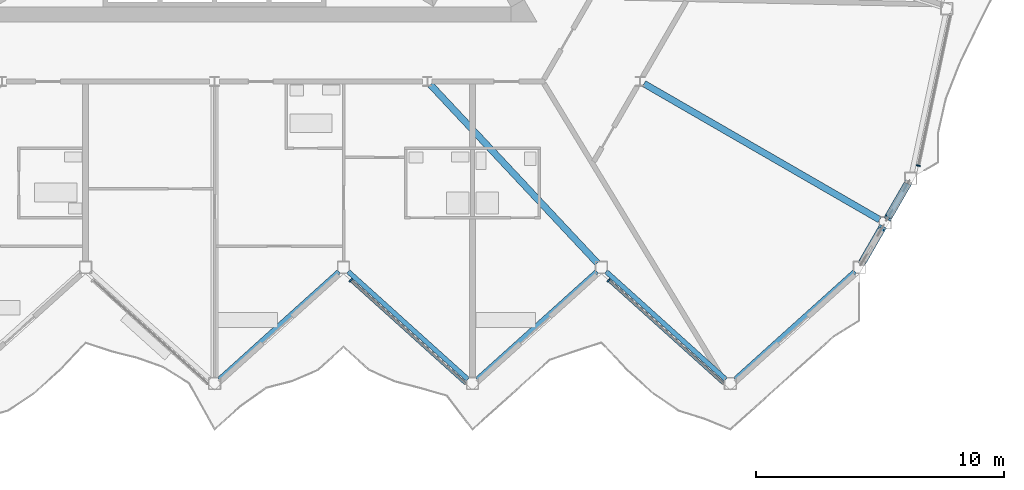
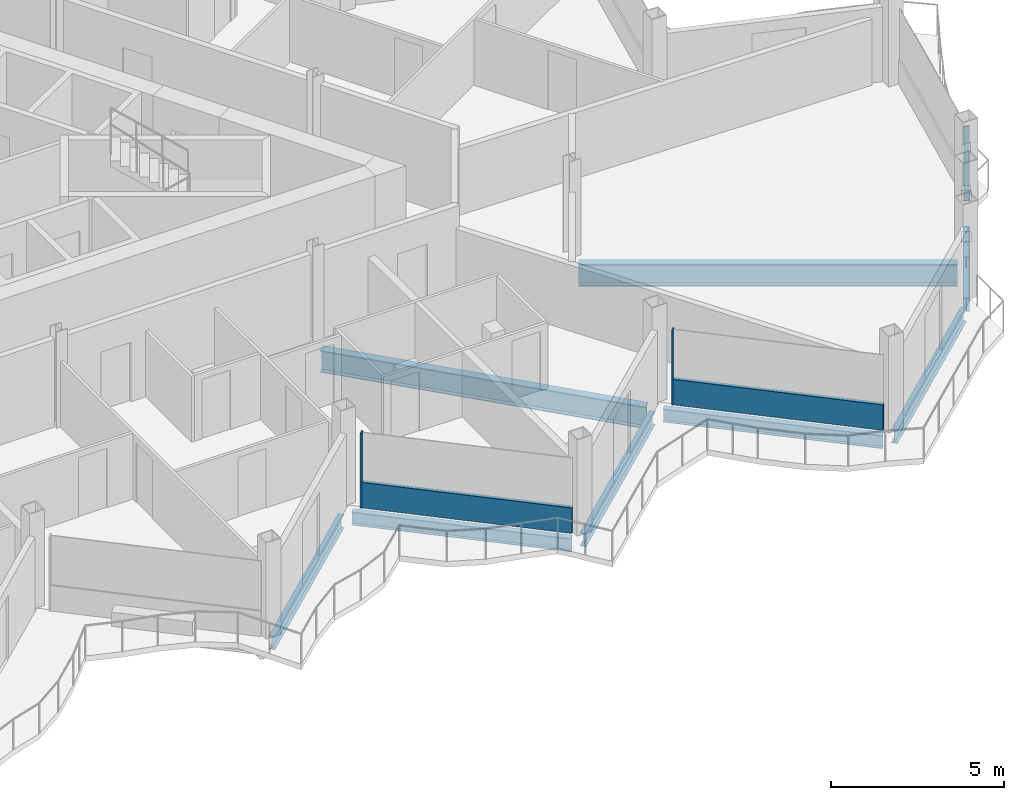
# One storey, part 7 of 25: 9 beams, 7 members, 3 elements without a shape of their own.
"""IFC4 building model written with IfcOpenShell, lengths in metres."""

from ifc_helpers import new_model, si_unit, direction, frame, origin, origin_2d, place, context, subcontext, project, spatial, rectangle, hollow_rectangle, i_section, extrude, material, layer, layer_set, material_profile, profile_set, type_object, element, aggregate, save


model = new_model("IFC4")

# Units and contexts
model_context = context("Model", 3, precision=1e-05, world=origin(), true_north=direction((0.0, 1.0)))
body_context = subcontext(model_context, "Body", "Model", "MODEL_VIEW")
ifc_project = project(units=[si_unit("LENGTHUNIT", "METRE"), si_unit("AREAUNIT", "SQUARE_METRE"), si_unit("VOLUMEUNIT", "CUBIC_METRE"), si_unit("PLANEANGLEUNIT", "RADIAN"), si_unit("MASSUNIT", "GRAM", prefix="KILO")], contexts=[model_context])

# Site, building, storey
site_placement = place(None, origin())
site = spatial("IfcSite", under=ifc_project, at=site_placement, CompositionType="ELEMENT")
building_placement = place(site_placement, origin())
building = spatial("IfcBuilding", under=site, at=building_placement, Name="Cormorant Prow Tower", CompositionType="ELEMENT")
storey_placement = place(building_placement, frame((0.0, 0.0, 391.60009765625)))
storey = spatial("IfcBuildingStorey", under=building, at=storey_placement, Name="L89", CompositionType="ELEMENT", Elevation=391.60009765625)

# Members
ifc_material_1 = material(Name="Structural steel ASTM A500 Gr C", Category="steel")
ifc_material_profile_1 = material_profile(ifc_material_1, hollow_rectangle(XDim=0.3046875, YDim=0.3046875, WallThickness=0.01171875, at=origin_2d()), Name="HSS12x12x1/2")
ifc_profile_set_1 = profile_set([ifc_material_profile_1], Name="Structural steel ASTM A500 Gr C")
member_type_1 = type_object("IfcMemberType", Name="Chamfer brace HSS12x12x1/2", PredefinedType="BRACE", material=ifc_profile_set_1)
member_1_placement = place(storey_placement, frame((26.91357421875, -15.823486328125, 0.7705078125), z_axis=(-0.411298537745, -0.71230756954, 0.568727913175), x_axis=(0.866000359435, -0.500043375578, 0.0)))
element("IfcMember", 1, at=member_1_placement, inside=storey, type_object=member_type_1, Name="Chamfer brace BR3 at ESE00 L89", PredefinedType="BRACE", context=body_context, shape_type="SweptSolid", body=[
    extrude(hollow_rectangle(XDim=0.3046875, YDim=0.3046875, WallThickness=0.01171875, at=origin_2d()), origin(), (0.0, 0.0, 1.0), 1.92138671875),
])
member_2_placement = place(storey_placement, frame((27.950439453125, -14.027587890625, 0.7705078125), z_axis=(-0.411230183851, -0.712282194217, 0.568809117095), x_axis=(0.866028632512, -0.499994407638, 0.0)))
element("IfcMember", 2, at=member_2_placement, inside=storey, type_object=member_type_1, Name="Chamfer brace BR3 at ESE01 L89", PredefinedType="BRACE", context=body_context, shape_type="SweptSolid", body=[
    extrude(hollow_rectangle(XDim=0.3046875, YDim=0.3046875, WallThickness=0.01171875, at=origin_2d()), origin(), (0.0, 0.0, 1.0), 1.921142578125),
])

# Beams
ifc_material_2 = material(Name="Structural steel ASTM A992 Gr 50", Category="steel")
ifc_material_profile_2 = material_profile(ifc_material_2, i_section(OverallWidth=0.267822265625, OverallDepth=0.77001953125, WebThickness=0.015625, FlangeThickness=0.025390625, at=origin_2d()), Name="W30x132")
ifc_profile_set_2 = profile_set([ifc_material_profile_2], Name="Structural steel ASTM A992 Gr 50")
beam_type_1 = type_object("IfcBeamType", Name="Radial floor beam W30x132", PredefinedType="BEAM", material=ifc_profile_set_2)
beam_1_placement = place(storey_placement, frame((8.706298828125, -10.0419921875, -0.68505859375), z_axis=(0.683430760659, -0.730015339144, 0.0), x_axis=(0.730015339144, 0.683430760659, 0.0)))
element("IfcBeam", 3, at=beam_1_placement, inside=storey, type_object=beam_type_1, Name="Radial floor beam FB3 8 L89", PredefinedType="BEAM", context=body_context, shape_type="SweptSolid", body=[
    extrude(i_section(OverallWidth=0.267822265625, OverallDepth=0.77001953125, WebThickness=0.015625, FlangeThickness=0.025390625, at=origin_2d()), origin(), (0.0, 0.0, 1.0), 9.8369140625),
])
beam_2_placement = place(storey_placement, frame((17.31884765625, -9.9990234375, -0.68505859375), z_axis=(0.866018830095, -0.500011385791, 0.0), x_axis=(0.500011385791, 0.866018830095, 0.0)))
element("IfcBeam", 4, at=beam_2_placement, inside=storey, type_object=beam_type_1, Name="Radial floor beam FB3 9 L89", PredefinedType="BEAM", context=body_context, shape_type="SweptSolid", body=[
    extrude(i_section(OverallWidth=0.267822265625, OverallDepth=0.77001953125, WebThickness=0.015625, FlangeThickness=0.025390625, at=origin_2d()), origin(), (0.0, 0.0, 1.0), 10.971435546875),
])

# Curtain wall, member
ifc_material_3 = material(Name="Aluminium 6063-T6", Category="aluminium")
ifc_layer = layer(ifc_material_3, 0.159912109375)
ifc_layer_set = layer_set([ifc_layer], Name="Aluminium 6063-T6")
curtain_wall_type = type_object("IfcCurtainWallType", Name="Residential unitised curtain wall 160", PredefinedType="NOTDEFINED", material=ifc_layer_set)
curtain_wall_1_placement = place(storey_placement, origin())
curtain_wall_1 = element("IfcCurtainWall", 5, at=curtain_wall_1_placement, inside=storey, type_object=curtain_wall_type, Name="Residential curtain wall S06", PredefinedType="NOTDEFINED")
ifc_material_4 = material(Name="Aluminium 6063-T6", Category="aluminium")
ifc_material_profile_3 = material_profile(ifc_material_4, rectangle(XDim=0.159912109375, YDim=0.050048828125, at=origin_2d()), Name="Residential mullion 50x160")
ifc_profile_set_3 = profile_set([ifc_material_profile_3], Name="Aluminium 6063-T6")
member_type_2 = type_object("IfcMemberType", Name="Residential mullion 50x160", PredefinedType="MULLION", material=ifc_profile_set_3)
member_3_placement = place(storey_placement, frame((5.490478515625, -17.926513671875, 0.0), z_axis=(0.0, 0.0, 1.0), x_axis=(0.669130603959, 0.743144827638, 0.0)))
member_3 = element("IfcMember", 6, at=member_3_placement, type_object=member_type_2, Name="Residential mullion S06", PredefinedType="MULLION", context=body_context, shape_type="SweptSolid", body=[
    extrude(rectangle(XDim=0.159912109375, YDim=0.050048828125, at=origin_2d()), origin(), (0.0, 0.0, 1.0), 2.6337890625),
])

curtain_wall_2_placement = place(storey_placement, origin())
curtain_wall_2 = element("IfcCurtainWall", 7, at=curtain_wall_2_placement, inside=storey, type_object=curtain_wall_type, Name="Residential curtain wall S08", PredefinedType="NOTDEFINED")
member_4_placement = place(storey_placement, frame((15.890625, -17.926513671875, 0.0), z_axis=(0.0, 0.0, 1.0), x_axis=(0.669130603959, 0.743144827638, 0.0)))
member_4 = element("IfcMember", 8, at=member_4_placement, type_object=member_type_2, Name="Residential mullion S08", PredefinedType="MULLION", context=body_context, shape_type="SweptSolid", body=[
    extrude(rectangle(XDim=0.159912109375, YDim=0.050048828125, at=origin_2d()), origin(), (0.0, 0.0, 1.0), 2.6337890625),
])

curtain_wall_3_placement = place(storey_placement, origin())
curtain_wall_3 = element("IfcCurtainWall", 9, at=curtain_wall_3_placement, inside=storey, type_object=curtain_wall_type, Name="Residential curtain wall ENE00", PredefinedType="NOTDEFINED")
member_5_placement = place(storey_placement, frame((28.37939453125, -13.3017578125, 0.0), z_axis=(0.0, 0.0, 1.0), x_axis=(-0.978147615768, 0.207911620089, 0.0)))
member_5 = element("IfcMember", 10, at=member_5_placement, type_object=member_type_2, Name="Residential mullion ENE00", PredefinedType="MULLION", context=body_context, shape_type="SweptSolid", body=[
    extrude(rectangle(XDim=0.159912109375, YDim=0.050048828125, at=origin_2d()), origin(), (0.0, 0.0, 1.0), 2.6337890625),
])
aggregate(curtain_wall_3, [member_5])

# Member
ifc_material_5 = material(Name="Terracotta", Category="masonry")
ifc_material_profile_4 = material_profile(ifc_material_5, rectangle(XDim=0.1201171875, YDim=0.89990234375, at=origin_2d()), Name="Residential terracotta spandrel rail 120x900")
ifc_profile_set_4 = profile_set([ifc_material_profile_4], Name="Terracotta")
member_type_3 = type_object("IfcMemberType", Name="Residential terracotta spandrel rail 120x900", PredefinedType="USERDEFINED", material=ifc_profile_set_4)
member_6_placement = place(storey_placement, frame((5.509033203125, -17.943115234375, 0.449951171875), z_axis=(0.743139827378, -0.669136157269, 0.0), x_axis=(0.669136157269, 0.743139827378, 0.0)))
member_6 = element("IfcMember", 11, at=member_6_placement, type_object=member_type_3, Name="Residential spandrel rail S06", ObjectType="TRANSOM", PredefinedType="USERDEFINED", context=body_context, shape_type="SweptSolid", body=[
    extrude(rectangle(XDim=0.1201171875, YDim=0.89990234375, at=origin_2d()), origin(), (0.0, 0.0, 1.0), 6.21533203125),
])

aggregate(curtain_wall_1, [member_3, member_6])

member_7_placement = place(storey_placement, frame((15.9091796875, -17.943115234375, 0.449951171875), z_axis=(0.743139827378, -0.669136157269, 0.0), x_axis=(0.669136157269, 0.743139827378, 0.0)))
member_7 = element("IfcMember", 12, at=member_7_placement, type_object=member_type_3, Name="Residential spandrel rail S08", ObjectType="TRANSOM", PredefinedType="USERDEFINED", context=body_context, shape_type="SweptSolid", body=[
    extrude(rectangle(XDim=0.1201171875, YDim=0.89990234375, at=origin_2d()), origin(), (0.0, 0.0, 1.0), 6.21533203125),
])

aggregate(curtain_wall_2, [member_4, member_7])

# Beams
ifc_material_6 = material(Name="Structural steel ASTM A992 Gr 50", Category="steel")
ifc_material_profile_5 = material_profile(ifc_material_6, i_section(OverallWidth=0.19287109375, OverallDepth=0.466064453125, WebThickness=0.011474609375, FlangeThickness=0.01904296875, at=origin_2d()), Name="W18x65")
ifc_profile_set_5 = profile_set([ifc_material_profile_5], Name="Structural steel ASTM A992 Gr 50")
beam_type_2 = type_object("IfcBeamType", Name="Spandrel beam W18x65", PredefinedType="SPANDREL", material=ifc_profile_set_5)
for number, where, z_axis, x_axis, name in (
    (13, (0.185791015625, -21.920654296875, -0.533203125), (0.743131573737, 0.669145323614, 0.0), (-0.669145323614, 0.743131573737, 0.0), "Spandrel beam SB4 S05-S06 L89"),
    (14, (5.3857421875, -17.572998046875, -0.533203125), (0.743131573737, -0.669145323614, 0.0), (0.669145323614, 0.743131573737, 0.0), "Spandrel beam SB4 S06-S07 L89"),
):
    element("IfcBeam", number, at=place(storey_placement, frame(where, z_axis=z_axis, x_axis=x_axis)), inside=storey, type_object=beam_type_2, Name=name, PredefinedType="SPANDREL", context=body_context, shape_type="SweptSolid", body=[
        extrude(i_section(OverallWidth=0.19287109375, OverallDepth=0.466064453125, WebThickness=0.011474609375, FlangeThickness=0.01904296875, at=origin_2d()), origin(), (0.0, 0.0, 1.0), 6.497314453125),
    ])
beam_3_placement = place(storey_placement, frame((10.585693359375, -21.920654296875, -0.533203125), z_axis=(0.743148397689, 0.669126638995, 0.0), x_axis=(-0.669126638995, 0.743148397689, 0.0)))
element("IfcBeam", 15, at=beam_3_placement, inside=storey, type_object=beam_type_2, Name="Spandrel beam SB4 S07-S08 L89", PredefinedType="SPANDREL", context=body_context, shape_type="SweptSolid", body=[
    extrude(i_section(OverallWidth=0.19287109375, OverallDepth=0.466064453125, WebThickness=0.011474609375, FlangeThickness=0.01904296875, at=origin_2d()), origin(), (0.0, 0.0, 1.0), 6.49755859375),
])
for number, where, z_axis, x_axis, name in (
    (16, (15.785888671875, -17.572998046875, -0.533203125), (0.743131573737, -0.669145323614, 0.0), (0.669145323614, 0.743131573737, 0.0), "Spandrel beam SB4 S08-S09 L89"),
    (17, (20.98583984375, -21.920654296875, -0.533203125), (0.743131573737, 0.669145323614, 0.0), (-0.669145323614, 0.743131573737, 0.0), "Spandrel beam SB4 S09-ESE00 L89"),
):
    element("IfcBeam", number, at=place(storey_placement, frame(where, z_axis=z_axis, x_axis=x_axis)), inside=storey, type_object=beam_type_2, Name=name, PredefinedType="SPANDREL", context=body_context, shape_type="SweptSolid", body=[
        extrude(i_section(OverallWidth=0.19287109375, OverallDepth=0.466064453125, WebThickness=0.011474609375, FlangeThickness=0.01904296875, at=origin_2d()), origin(), (0.0, 0.0, 1.0), 6.497314453125),
    ])
for number, where, z_axis, x_axis, name in (
    (18, (26.125, -17.189208984375, -0.533203125), (0.499959680857, 0.866048680801, 0.0), (-0.866048680801, 0.499959680857, 0.0), "Spandrel beam SB4 ESE00-ESE01 L89"),
    (19, (27.161865234375, -15.393310546875, -0.533203125), (0.499959680857, 0.866048680801, 0.0), (-0.866048680801, 0.499959680857, 0.0), "Spandrel beam SB4 ESE01-ENE00 L89"),
):
    element("IfcBeam", number, at=place(storey_placement, frame(where, z_axis=z_axis, x_axis=x_axis)), inside=storey, type_object=beam_type_2, Name=name, PredefinedType="SPANDREL", context=body_context, shape_type="SweptSolid", body=[
        extrude(i_section(OverallWidth=0.19287109375, OverallDepth=0.466064453125, WebThickness=0.011474609375, FlangeThickness=0.01904296875, at=origin_2d()), origin(), (0.0, 0.0, 1.0), 1.573974609375),
    ])

save(model, "model.ifc")
